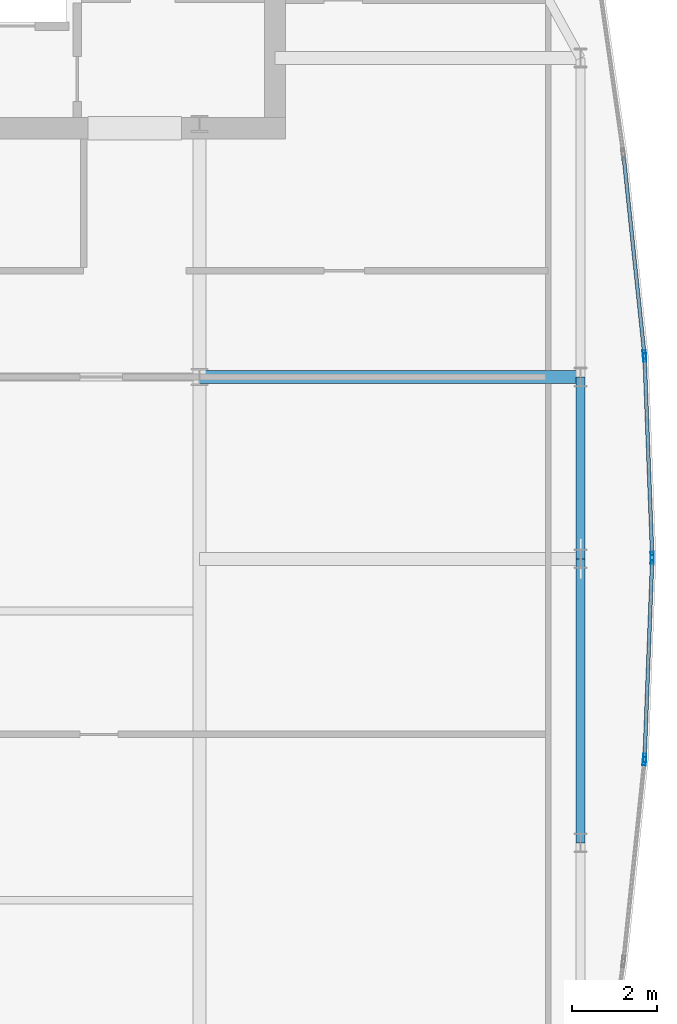
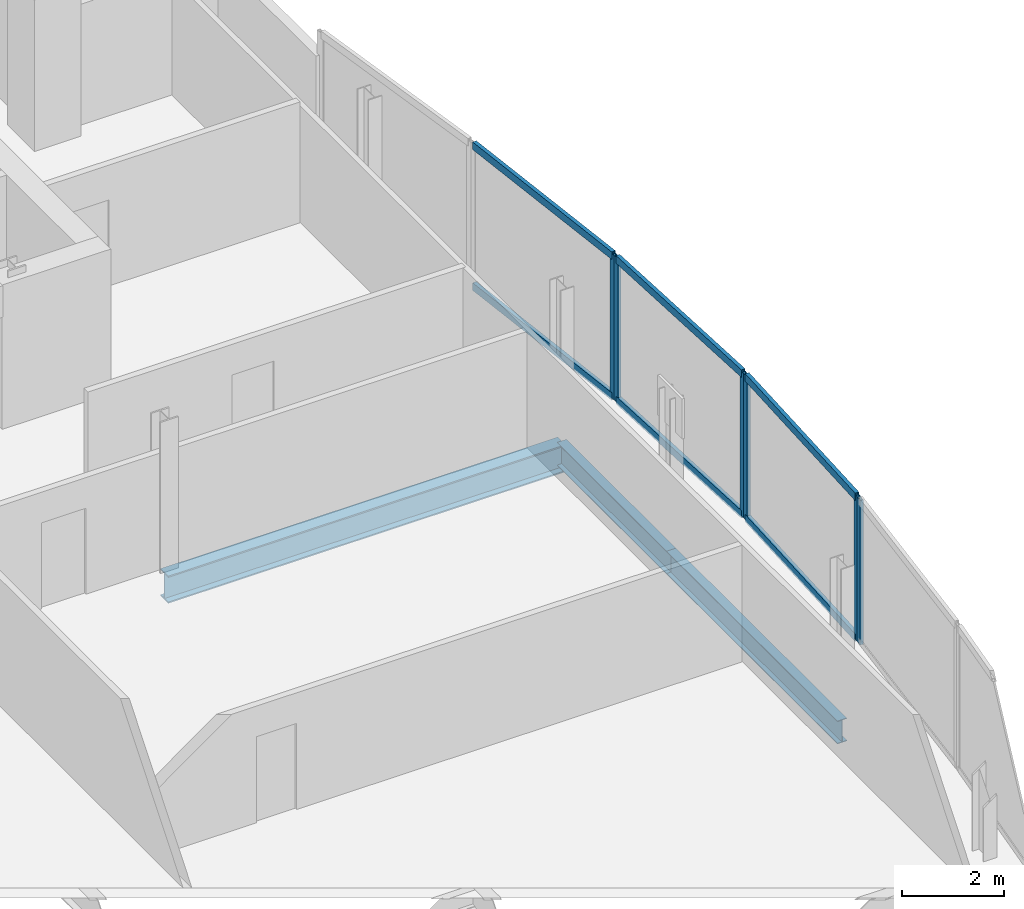
# One storey, part 18 of 30: 12 members, 3 beams, 4 elements without a shape of their own.
"""IFC4 building model written with IfcOpenShell, lengths in metres."""

from ifc_helpers import new_model, si_unit, direction, frame, origin, origin_2d, place, context, subcontext, project, spatial, hollow_rectangle, i_section, extrude, material, material_profile, profile_set, type_object, element, aggregate, save


model = new_model("IFC4")

# Units and contexts
model_context = context("Model", 3, precision=1e-05, world=origin(), true_north=direction((0.0, 1.0)))
body_context = subcontext(model_context, "Body", "Model", "MODEL_VIEW")
ifc_project = project(units=[si_unit("LENGTHUNIT", "METRE"), si_unit("AREAUNIT", "SQUARE_METRE"), si_unit("VOLUMEUNIT", "CUBIC_METRE"), si_unit("PLANEANGLEUNIT", "RADIAN"), si_unit("MASSUNIT", "GRAM", prefix="KILO")], contexts=[model_context])

# Site, building, storey
site_placement = place(None, origin())
site = spatial("IfcSite", under=ifc_project, at=site_placement, CompositionType="ELEMENT")
building_placement = place(site_placement, origin())
building = spatial("IfcBuilding", under=site, at=building_placement, Name="Khoronbel Lancet Exchange", CompositionType="ELEMENT")
storey_placement = place(building_placement, frame((0.0, 0.0, 280.60009765625)))
storey = spatial("IfcBuildingStorey", under=building, at=storey_placement, Name="L72", CompositionType="ELEMENT", Elevation=280.60009765625)

# Beams
ifc_material_1 = material(Name="Steel S355", Category="steel")
ifc_material_profile_1 = material_profile(ifc_material_1, i_section(OverallWidth=0.300048828125, OverallDepth=0.64990234375, WebThickness=0.01611328125, FlangeThickness=0.031005859375, at=origin_2d()), Name="HEB 650")
ifc_profile_set_1 = profile_set([ifc_material_profile_1], Name="Steel S355")
beam_type_1 = type_object("IfcBeamType", Name="BM-BG4", PredefinedType="BEAM", material=ifc_profile_set_1)
beam_1_placement = place(storey_placement, frame((54.675048828125, 35.699951171875, -0.485107421875), z_axis=(1.0, 0.0, 0.0), x_axis=(0.0, 1.0, 0.0)))
element("IfcBeam", 1, at=beam_1_placement, inside=storey, type_object=beam_type_1, Name="Level L72 east lens tie girder LG4E", PredefinedType="BEAM", context=body_context, shape_type="SweptSolid", body=[
    extrude(i_section(OverallWidth=0.300048828125, OverallDepth=0.64990234375, WebThickness=0.01611328125, FlangeThickness=0.031005859375, at=origin_2d()), origin(), (0.0, 0.0, 1.0), 8.954833984375),
])
ifc_material_profile_2 = material_profile(ifc_material_1, i_section(OverallWidth=0.2099609375, OverallDepth=0.550048828125, WebThickness=0.010986328125, FlangeThickness=0.01708984375, at=origin_2d()), Name="IPE 550")
ifc_profile_set_2 = profile_set([ifc_material_profile_2], Name="Steel S355")
beam_type_2 = type_object("IfcBeamType", Name="BM-BSP3", PredefinedType="SPANDREL", material=ifc_profile_set_2)
beam_2_placement = place(storey_placement, frame((63.6298828125, 24.75, -0.43505859375), z_axis=(0.0, 1.0, 0.0), x_axis=(-1.0, 0.0, 0.0)))
element("IfcBeam", 2, at=beam_2_placement, inside=storey, type_object=beam_type_2, Name="Level L72 perimeter spandrel beam SP12", PredefinedType="SPANDREL", context=body_context, shape_type="SweptSolid", body=[
    extrude(i_section(OverallWidth=0.2099609375, OverallDepth=0.550048828125, WebThickness=0.010986328125, FlangeThickness=0.01708984375, at=origin_2d()), origin(), (0.0, 0.0, 1.0), 6.675048828125),
])
beam_3_placement = place(storey_placement, frame((63.6298828125, 31.425048828125, -0.43505859375), z_axis=(0.0, 1.0, 0.0), x_axis=(-1.0, 0.0, 0.0)))
element("IfcBeam", 3, at=beam_3_placement, inside=storey, type_object=beam_type_2, Name="Level L72 perimeter spandrel beam SP13", PredefinedType="SPANDREL", context=body_context, shape_type="SweptSolid", body=[
    extrude(i_section(OverallWidth=0.2099609375, OverallDepth=0.550048828125, WebThickness=0.010986328125, FlangeThickness=0.01708984375, at=origin_2d()), origin(), (0.0, 0.0, 1.0), 4.27490234375),
])

# Curtain wall, member
ifc_material_2 = material(Name="Low-E Solar Control Insulating Glass", Category="glass")
curtain_wall_type = type_object("IfcCurtainWallType", Name="CW-4", PredefinedType="NOTDEFINED", material=ifc_material_2)
curtain_wall_1_placement = place(storey_placement, origin())
curtain_wall_1 = element("IfcCurtainWall", 4, at=curtain_wall_1_placement, inside=storey, type_object=curtain_wall_type, Name="Unitised curtain wall CW-L72-E18", PredefinedType="NOTDEFINED")
ifc_material_3 = material(Name="Bronze-Anodised Aluminium 6063-T6", Category="aluminium")
ifc_material_profile_3 = material_profile(ifc_material_3, hollow_rectangle(XDim=0.074951171875, YDim=0.199951171875, WallThickness=0.0048828125, at=origin_2d()), Name="ALU MULLION 75x200")
ifc_profile_set_3 = profile_set([ifc_material_profile_3], Name="Bronze-Anodised Aluminium 6063-T6")
member_type_1 = type_object("IfcMemberType", Name="MEM-CWM2", PredefinedType="MULLION", material=ifc_profile_set_3)
member_1_placement = place(storey_placement, frame((65.130126953125, 36.23095703125, 0.0), z_axis=(0.0, 0.0, 1.0), x_axis=(0.994590565659, 0.103873031641, 0.0)))
member_1 = element("IfcMember", 5, at=member_1_placement, type_object=member_type_1, Name="CW4 mullion 2", PredefinedType="MULLION", context=body_context, shape_type="SweptSolid", body=[
    extrude(hollow_rectangle(XDim=0.074951171875, YDim=0.199951171875, WallThickness=0.0048828125, at=origin_2d()), origin(), (0.0, 0.0, 1.0), 3.43994140625),
])

# Curtain wall, members
curtain_wall_2_placement = place(storey_placement, origin())
curtain_wall_2 = element("IfcCurtainWall", 6, at=curtain_wall_2_placement, inside=storey, type_object=curtain_wall_type, Name="Unitised curtain wall CW-L72-E19", PredefinedType="NOTDEFINED")
member_2_placement = place(storey_placement, frame((65.135498046875, 36.156005859375, 0.0), z_axis=(0.0, 0.0, 1.0), x_axis=(0.999270418171, 0.038192032798, 0.0)))
member_2 = element("IfcMember", 7, at=member_2_placement, type_object=member_type_1, Name="CW4 mullion 1", PredefinedType="MULLION", context=body_context, shape_type="SweptSolid", body=[
    extrude(hollow_rectangle(XDim=0.074951171875, YDim=0.199951171875, WallThickness=0.0048828125, at=origin_2d()), origin(), (0.0, 0.0, 1.0), 3.43994140625),
])
member_3_placement = place(storey_placement, frame((65.31396484375, 31.487548828125, 0.0), z_axis=(0.0, 0.0, 1.0), x_axis=(0.999270418171, 0.038192032798, 0.0)))
member_3 = element("IfcMember", 8, at=member_3_placement, type_object=member_type_1, Name="CW4 mullion 2", PredefinedType="MULLION", context=body_context, shape_type="SweptSolid", body=[
    extrude(hollow_rectangle(XDim=0.074951171875, YDim=0.199951171875, WallThickness=0.0048828125, at=origin_2d()), origin(), (0.0, 0.0, 1.0), 3.43994140625),
])

curtain_wall_3_placement = place(storey_placement, origin())
curtain_wall_3 = element("IfcCurtainWall", 9, at=curtain_wall_3_placement, inside=storey, type_object=curtain_wall_type, Name="Unitised curtain wall CW-L72-E20", PredefinedType="NOTDEFINED")
member_4_placement = place(storey_placement, frame((65.31396484375, 31.41259765625, 0.0), z_axis=(0.0, 0.0, 1.0), x_axis=(0.999270418171, -0.038192032798, 0.0)))
member_4 = element("IfcMember", 10, at=member_4_placement, type_object=member_type_1, Name="CW4 mullion 1", PredefinedType="MULLION", context=body_context, shape_type="SweptSolid", body=[
    extrude(hollow_rectangle(XDim=0.074951171875, YDim=0.199951171875, WallThickness=0.0048828125, at=origin_2d()), origin(), (0.0, 0.0, 1.0), 3.43994140625),
])
member_5_placement = place(storey_placement, frame((65.135498046875, 26.743896484375, 0.0), z_axis=(0.0, 0.0, 1.0), x_axis=(0.999270418171, -0.038192032798, 0.0)))
member_5 = element("IfcMember", 11, at=member_5_placement, type_object=member_type_1, Name="CW4 mullion 2", PredefinedType="MULLION", context=body_context, shape_type="SweptSolid", body=[
    extrude(hollow_rectangle(XDim=0.074951171875, YDim=0.199951171875, WallThickness=0.0048828125, at=origin_2d()), origin(), (0.0, 0.0, 1.0), 3.43994140625),
])

# Curtain wall, member
curtain_wall_4_placement = place(storey_placement, origin())
curtain_wall_4 = element("IfcCurtainWall", 12, at=curtain_wall_4_placement, inside=storey, type_object=curtain_wall_type, Name="Unitised curtain wall CW-L72-E21", PredefinedType="NOTDEFINED")
member_6_placement = place(storey_placement, frame((65.130126953125, 26.669189453125, 0.0), z_axis=(0.0, 0.0, 1.0), x_axis=(0.994590565659, -0.103873031641, 0.0)))
member_6 = element("IfcMember", 13, at=member_6_placement, type_object=member_type_1, Name="CW4 mullion 1", PredefinedType="MULLION", context=body_context, shape_type="SweptSolid", body=[
    extrude(hollow_rectangle(XDim=0.074951171875, YDim=0.199951171875, WallThickness=0.0048828125, at=origin_2d()), origin(), (0.0, 0.0, 1.0), 3.43994140625),
])
aggregate(curtain_wall_4, [member_6])

# Member
ifc_material_profile_4 = material_profile(ifc_material_3, hollow_rectangle(XDim=0.0849609375, YDim=0.179931640625, WallThickness=0.0048828125, at=origin_2d()), Name="ALU TRANSOM 85x180")
ifc_profile_set_4 = profile_set([ifc_material_profile_4], Name="Bronze-Anodised Aluminium 6063-T6")
member_type_2 = type_object("IfcMemberType", Name="MEM-CWT1", PredefinedType="USERDEFINED", material=ifc_profile_set_4)
member_7_placement = place(storey_placement, frame((64.646240234375, 40.864501953125, 0.04248046875), z_axis=(0.103865221273, -0.994591381327, 0.0), x_axis=(0.994591381327, 0.103865221273, 0.0)))
member_7 = element("IfcMember", 14, at=member_7_placement, type_object=member_type_2, Name="CW4 transom 1.1", ObjectType="TRANSOM", PredefinedType="USERDEFINED", context=body_context, shape_type="SweptSolid", body=[
    extrude(hollow_rectangle(XDim=0.0849609375, YDim=0.179931640625, WallThickness=0.0048828125, at=origin_2d()), origin(), (0.0, 0.0, 1.0), 4.62109375),
])

member_8_placement = place(storey_placement, frame((64.646240234375, 40.864501953125, 3.3974609375), z_axis=(0.103865221273, -0.994591381327, 0.0), x_axis=(0.994591381327, 0.103865221273, 0.0)))
member_8 = element("IfcMember", 15, at=member_8_placement, type_object=member_type_2, Name="CW4 transom 1.2", ObjectType="TRANSOM", PredefinedType="USERDEFINED", context=body_context, shape_type="SweptSolid", body=[
    extrude(hollow_rectangle(XDim=0.0849609375, YDim=0.179931640625, WallThickness=0.0048828125, at=origin_2d()), origin(), (0.0, 0.0, 1.0), 4.62109375),
])

aggregate(curtain_wall_1, [member_1, member_7, member_8])

member_9_placement = place(storey_placement, frame((65.136962890625, 36.11865234375, 0.04248046875), z_axis=(0.03818429227, -0.999270713983, 0.0), x_axis=(0.999270713983, 0.03818429227, 0.0)))
member_9 = element("IfcMember", 16, at=member_9_placement, type_object=member_type_2, Name="CW4 transom 1.1", ObjectType="TRANSOM", PredefinedType="USERDEFINED", context=body_context, shape_type="SweptSolid", body=[
    extrude(hollow_rectangle(XDim=0.0849609375, YDim=0.179931640625, WallThickness=0.0048828125, at=origin_2d()), origin(), (0.0, 0.0, 1.0), 4.59716796875),
])

member_10_placement = place(storey_placement, frame((65.136962890625, 36.11865234375, 3.3974609375), z_axis=(0.03818429227, -0.999270713983, 0.0), x_axis=(0.999270713983, 0.03818429227, 0.0)))
member_10 = element("IfcMember", 17, at=member_10_placement, type_object=member_type_2, Name="CW4 transom 1.2", ObjectType="TRANSOM", PredefinedType="USERDEFINED", context=body_context, shape_type="SweptSolid", body=[
    extrude(hollow_rectangle(XDim=0.0849609375, YDim=0.179931640625, WallThickness=0.0048828125, at=origin_2d()), origin(), (0.0, 0.0, 1.0), 4.59716796875),
])

aggregate(curtain_wall_2, [member_2, member_3, member_9, member_10])

member_11_placement = place(storey_placement, frame((65.3125, 31.375, 0.04248046875), z_axis=(-0.03818429227, -0.999270713983, 0.0), x_axis=(0.999270713983, -0.03818429227, 0.0)))
member_11 = element("IfcMember", 18, at=member_11_placement, type_object=member_type_2, Name="CW4 transom 1.1", ObjectType="TRANSOM", PredefinedType="USERDEFINED", context=body_context, shape_type="SweptSolid", body=[
    extrude(hollow_rectangle(XDim=0.0849609375, YDim=0.179931640625, WallThickness=0.0048828125, at=origin_2d()), origin(), (0.0, 0.0, 1.0), 4.59716796875),
])

member_12_placement = place(storey_placement, frame((65.3125, 31.375, 3.3974609375), z_axis=(-0.03818429227, -0.999270713983, 0.0), x_axis=(0.999270713983, -0.03818429227, 0.0)))
member_12 = element("IfcMember", 19, at=member_12_placement, type_object=member_type_2, Name="CW4 transom 1.2", ObjectType="TRANSOM", PredefinedType="USERDEFINED", context=body_context, shape_type="SweptSolid", body=[
    extrude(hollow_rectangle(XDim=0.0849609375, YDim=0.179931640625, WallThickness=0.0048828125, at=origin_2d()), origin(), (0.0, 0.0, 1.0), 4.59716796875),
])

aggregate(curtain_wall_3, [member_4, member_5, member_11, member_12])

save(model, "model.ifc")
